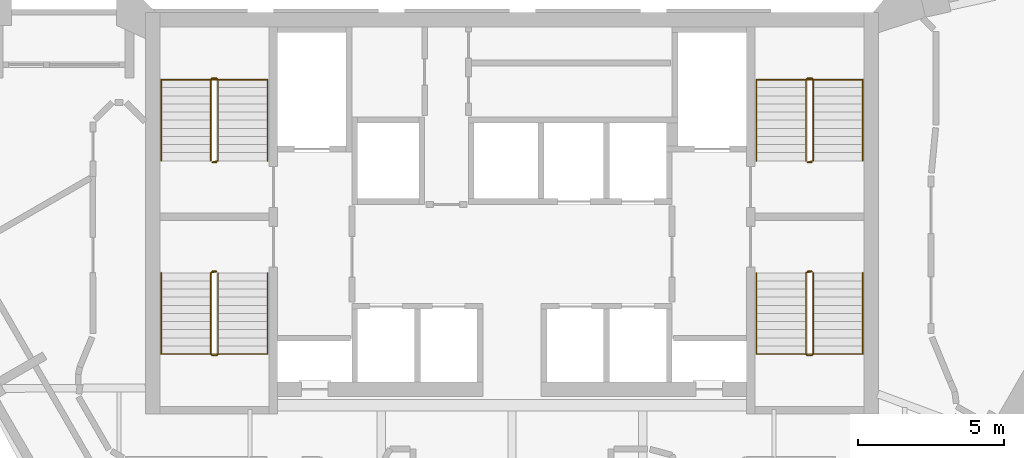
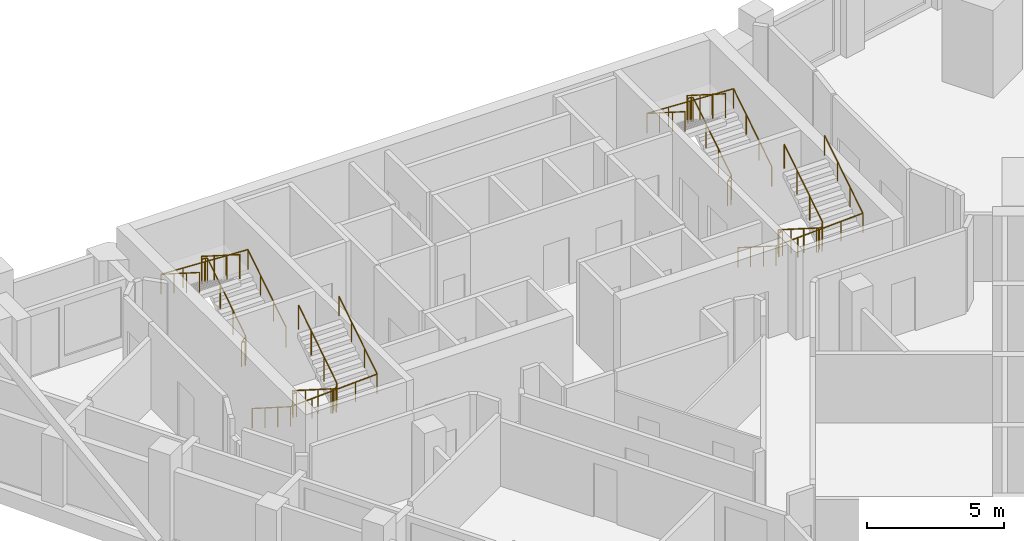
# One storey, part 8 of 8: 8 railings.
"""IFC4 building model written with IfcOpenShell, lengths in metres."""

from ifc_helpers import new_model, si_unit, direction, frame, origin, origin_2d, place, context, subcontext, project, spatial, circle, extrude, material, type_object, element, save


model = new_model("IFC4")

# Units and contexts
model_context = context("Model", 3, precision=1e-05, world=origin(), true_north=direction((0.0, 1.0)))
body_context = subcontext(model_context, "Body", "Model", "MODEL_VIEW")
ifc_project = project(units=[si_unit("LENGTHUNIT", "METRE"), si_unit("AREAUNIT", "SQUARE_METRE"), si_unit("VOLUMEUNIT", "CUBIC_METRE"), si_unit("PLANEANGLEUNIT", "RADIAN"), si_unit("MASSUNIT", "GRAM", prefix="KILO")], contexts=[model_context])

# Site, building, storey
site_placement = place(None, origin())
site = spatial("IfcSite", under=ifc_project, at=site_placement, CompositionType="ELEMENT")
building_placement = place(site_placement, origin())
building = spatial("IfcBuilding", under=site, at=building_placement, Name="Calabash Gate Tower", CompositionType="ELEMENT")
storey_placement = place(building_placement, frame((0.0, 0.0, 279.39990234375)))
storey = spatial("IfcBuildingStorey", under=building, at=storey_placement, Name="L67", CompositionType="ELEMENT", Elevation=279.39990234375)

# Railings
ifc_material_1 = material(Name="Black powder-coated steel balusters", Category="steel")
railing_type_1 = type_object("IfcRailingType", Name="Stair guard RL1100", PredefinedType="GUARDRAIL", material=ifc_material_1)
railing_1_placement = place(storey_placement, frame((-10.14990234375, 13.902587890625, 0.0)))
element("IfcRailing", 1, at=railing_1_placement, inside=storey, type_object=railing_type_1, Name="L67 ST1 stair guard 1", PredefinedType="GUARDRAIL", context=body_context, shape_type="SweptSolid", body=[
    extrude(circle(Radius=0.02392578125, at=origin_2d()), frame((0.0, 0.0, 1.076171875), z_axis=(-1.0, 0.0, 0.0), x_axis=(0.0, -1.0, 0.0)), (0.0, 0.0, 1.0), 0.150146484375),
    extrude(circle(Radius=0.02392578125, at=origin_2d()), frame((-0.150146484375, 0.0, 1.076171875), z_axis=(0.735094037398, 0.183997897029, 0.652519371414), x_axis=(-0.242814311512, 0.970072785993, 0.0)), (0.0, 0.0, 1.0), 0.27197265625),
    extrude(circle(Radius=0.02392578125, at=origin_2d()), frame((0.0498046875, 0.050048828125, 1.25341796875), z_axis=(0.0, 0.844041424197, 0.536277982245), x_axis=(-1.0, 0.0, 0.0)), (0.0, 0.0, 1.0), 3.3056640625),
    extrude(circle(Radius=0.02392578125, at=origin_2d()), frame((0.0498046875, 2.840087890625, 3.0263671875), z_axis=(-0.707106781187, 0.707106781187, 0.0), x_axis=(-0.707106781187, -0.707106781187, 0.0)), (0.0, 0.0, 1.0), 0.0703125),
    extrude(circle(Radius=0.02392578125, at=origin_2d()), frame((0.0, 2.889892578125, 3.0263671875), z_axis=(-1.0, 0.0, 0.0), x_axis=(0.0, -1.0, 0.0)), (0.0, 0.0, 1.0), 0.150146484375),
    extrude(circle(Radius=0.02392578125, at=origin_2d()), frame((-0.150146484375, 2.889892578125, 3.0263671875), z_axis=(-0.262321481514, -0.261041864531, 0.929001929653), x_axis=(0.705375805398, -0.708833529934, 0.0)), (0.0, 0.0, 1.0), 0.190673828125),
    extrude(circle(Radius=0.02392578125, at=origin_2d()), frame((-0.2001953125, 2.840087890625, 3.20361328125), z_axis=(0.0, -0.844041424197, 0.536277982245), x_axis=(1.0, 0.0, 0.0)), (0.0, 0.0, 1.0), 3.3056640625),
    extrude(circle(Radius=0.02099609375, at=origin_2d()), origin(), (0.0, 0.0, 1.0), 1.052001953125),
    extrude(circle(Radius=0.02099609375, at=origin_2d()), frame((-0.150146484375, 0.0, 0.0)), (0.0, 0.0, 1.0), 1.052001953125),
    extrude(circle(Radius=0.02099609375, at=origin_2d()), frame((0.0498046875, 0.050048828125, 0.177490234375)), (0.0, 0.0, 1.0), 1.052001953125),
    extrude(circle(Radius=0.02099609375, at=origin_2d()), frame((0.0498046875, 0.97998046875, 0.768310546875)), (0.0, 0.0, 1.0), 1.052001953125),
    extrude(circle(Radius=0.02099609375, at=origin_2d()), frame((0.0498046875, 1.91015625, 1.359375)), (0.0, 0.0, 1.0), 1.052001953125),
    extrude(circle(Radius=0.02099609375, at=origin_2d()), frame((0.0498046875, 2.840087890625, 1.9501953125)), (0.0, 0.0, 1.0), 1.052001953125),
    extrude(circle(Radius=0.02099609375, at=origin_2d()), frame((0.0, 2.889892578125, 1.9501953125)), (0.0, 0.0, 1.0), 1.052001953125),
    extrude(circle(Radius=0.02099609375, at=origin_2d()), frame((-0.150146484375, 2.889892578125, 1.9501953125)), (0.0, 0.0, 1.0), 1.052001953125),
    extrude(circle(Radius=0.02099609375, at=origin_2d()), frame((-0.2001953125, 2.840087890625, 2.12744140625)), (0.0, 0.0, 1.0), 1.052001953125),
    extrude(circle(Radius=0.02099609375, at=origin_2d()), frame((-0.2001953125, 1.91015625, 2.71826171875)), (0.0, 0.0, 1.0), 1.052001953125),
    extrude(circle(Radius=0.02099609375, at=origin_2d()), frame((-0.2001953125, 0.97998046875, 3.309326171875)), (0.0, 0.0, 1.0), 1.052001953125),
    extrude(circle(Radius=0.02099609375, at=origin_2d()), frame((-0.2001953125, 0.050048828125, 3.900146484375)), (0.0, 0.0, 1.0), 1.052001953125),
])
railing_2_placement = place(storey_placement, frame((-10.300048828125, 10.152587890625, 0.0)))
element("IfcRailing", 2, at=railing_2_placement, inside=storey, type_object=railing_type_1, Name="L67 ST2 stair guard 1", PredefinedType="GUARDRAIL", context=body_context, shape_type="SweptSolid", body=[
    extrude(circle(Radius=0.02392578125, at=origin_2d()), frame((0.0, 0.0, 1.076171875), z_axis=(1.0, 0.0, 0.0), x_axis=(0.0, 1.0, 0.0)), (0.0, 0.0, 1.0), 0.150146484375),
    extrude(circle(Radius=0.02392578125, at=origin_2d()), frame((0.150146484375, 0.0, 1.076171875), z_axis=(-0.735506176693, -0.183876544173, 0.652089012751), x_axis=(0.242535625036, -0.970142500145, 0.0)), (0.0, 0.0, 1.0), 0.272216796875),
    extrude(circle(Radius=0.02392578125, at=origin_2d()), frame((-0.050048828125, -0.050048828125, 1.25341796875), z_axis=(0.0, -0.844041424197, 0.536277982245), x_axis=(1.0, 0.0, 0.0)), (0.0, 0.0, 1.0), 3.3056640625),
    extrude(circle(Radius=0.02392578125, at=origin_2d()), frame((-0.050048828125, -2.840087890625, 3.0263671875), z_axis=(0.708833529934, -0.705375805398, 0.0), x_axis=(0.705375805398, 0.708833529934, 0.0)), (0.0, 0.0, 1.0), 0.070556640625),
    extrude(circle(Radius=0.02392578125, at=origin_2d()), frame((0.0, -2.889892578125, 3.0263671875), z_axis=(1.0, 0.0, 0.0), x_axis=(0.0, 1.0, 0.0)), (0.0, 0.0, 1.0), 0.150146484375),
    extrude(circle(Radius=0.02392578125, at=origin_2d()), frame((0.150146484375, -2.889892578125, 3.0263671875), z_axis=(0.261129318932, 0.261129318932, 0.929313164433), x_axis=(-0.707106781187, 0.707106781187, 0.0)), (0.0, 0.0, 1.0), 0.190673828125),
    extrude(circle(Radius=0.02392578125, at=origin_2d()), frame((0.199951171875, -2.840087890625, 3.20361328125), z_axis=(0.0, 0.844041424197, 0.536277982245), x_axis=(-1.0, 0.0, 0.0)), (0.0, 0.0, 1.0), 3.3056640625),
    extrude(circle(Radius=0.02099609375, at=origin_2d()), origin(), (0.0, 0.0, 1.0), 1.052001953125),
    extrude(circle(Radius=0.02099609375, at=origin_2d()), frame((0.150146484375, 0.0, 0.0)), (0.0, 0.0, 1.0), 1.052001953125),
    extrude(circle(Radius=0.02099609375, at=origin_2d()), frame((-0.050048828125, -0.050048828125, 0.177490234375)), (0.0, 0.0, 1.0), 1.052001953125),
    extrude(circle(Radius=0.02099609375, at=origin_2d()), frame((-0.050048828125, -0.97998046875, 0.768310546875)), (0.0, 0.0, 1.0), 1.052001953125),
    extrude(circle(Radius=0.02099609375, at=origin_2d()), frame((-0.050048828125, -1.91015625, 1.359375)), (0.0, 0.0, 1.0), 1.052001953125),
    extrude(circle(Radius=0.02099609375, at=origin_2d()), frame((-0.050048828125, -2.840087890625, 1.9501953125)), (0.0, 0.0, 1.0), 1.052001953125),
    extrude(circle(Radius=0.02099609375, at=origin_2d()), frame((0.0, -2.889892578125, 1.9501953125)), (0.0, 0.0, 1.0), 1.052001953125),
    extrude(circle(Radius=0.02099609375, at=origin_2d()), frame((0.150146484375, -2.889892578125, 1.9501953125)), (0.0, 0.0, 1.0), 1.052001953125),
    extrude(circle(Radius=0.02099609375, at=origin_2d()), frame((0.199951171875, -2.840087890625, 2.12744140625)), (0.0, 0.0, 1.0), 1.052001953125),
    extrude(circle(Radius=0.02099609375, at=origin_2d()), frame((0.199951171875, -1.91015625, 2.71826171875)), (0.0, 0.0, 1.0), 1.052001953125),
    extrude(circle(Radius=0.02099609375, at=origin_2d()), frame((0.199951171875, -0.97998046875, 3.309326171875)), (0.0, 0.0, 1.0), 1.052001953125),
    extrude(circle(Radius=0.02099609375, at=origin_2d()), frame((0.199951171875, -0.050048828125, 3.900146484375)), (0.0, 0.0, 1.0), 1.052001953125),
])
railing_3_placement = place(storey_placement, frame((10.300048828125, 13.902587890625, 0.0)))
element("IfcRailing", 3, at=railing_3_placement, inside=storey, type_object=railing_type_1, Name="L67 ST3 stair guard 1", PredefinedType="GUARDRAIL", context=body_context, shape_type="SweptSolid", body=[
    extrude(circle(Radius=0.02392578125, at=origin_2d()), frame((0.0, 0.0, 1.076171875), z_axis=(-1.0, 0.0, 0.0), x_axis=(0.0, -1.0, 0.0)), (0.0, 0.0, 1.0), 0.150146484375),
    extrude(circle(Radius=0.02392578125, at=origin_2d()), frame((-0.150146484375, 0.0, 1.076171875), z_axis=(0.735506176693, 0.183876544173, 0.652089012751), x_axis=(-0.242535625036, 0.970142500145, 0.0)), (0.0, 0.0, 1.0), 0.272216796875),
    extrude(circle(Radius=0.02392578125, at=origin_2d()), frame((0.050048828125, 0.050048828125, 1.25341796875), z_axis=(0.0, 0.844041424197, 0.536277982245), x_axis=(-1.0, 0.0, 0.0)), (0.0, 0.0, 1.0), 3.3056640625),
    extrude(circle(Radius=0.02392578125, at=origin_2d()), frame((0.050048828125, 2.840087890625, 3.0263671875), z_axis=(-0.708833529934, 0.705375805398, 0.0), x_axis=(-0.705375805398, -0.708833529934, 0.0)), (0.0, 0.0, 1.0), 0.070556640625),
    extrude(circle(Radius=0.02392578125, at=origin_2d()), frame((0.0, 2.889892578125, 3.0263671875), z_axis=(-1.0, 0.0, 0.0), x_axis=(0.0, -1.0, 0.0)), (0.0, 0.0, 1.0), 0.150146484375),
    extrude(circle(Radius=0.02392578125, at=origin_2d()), frame((-0.150146484375, 2.889892578125, 3.0263671875), z_axis=(-0.261129318932, -0.261129318932, 0.929313164433), x_axis=(0.707106781187, -0.707106781187, 0.0)), (0.0, 0.0, 1.0), 0.190673828125),
    extrude(circle(Radius=0.02392578125, at=origin_2d()), frame((-0.199951171875, 2.840087890625, 3.20361328125), z_axis=(0.0, -0.844041424197, 0.536277982245), x_axis=(1.0, 0.0, 0.0)), (0.0, 0.0, 1.0), 3.3056640625),
    extrude(circle(Radius=0.02099609375, at=origin_2d()), origin(), (0.0, 0.0, 1.0), 1.052001953125),
    extrude(circle(Radius=0.02099609375, at=origin_2d()), frame((-0.150146484375, 0.0, 0.0)), (0.0, 0.0, 1.0), 1.052001953125),
    extrude(circle(Radius=0.02099609375, at=origin_2d()), frame((0.050048828125, 0.050048828125, 0.177490234375)), (0.0, 0.0, 1.0), 1.052001953125),
    extrude(circle(Radius=0.02099609375, at=origin_2d()), frame((0.050048828125, 0.97998046875, 0.768310546875)), (0.0, 0.0, 1.0), 1.052001953125),
    extrude(circle(Radius=0.02099609375, at=origin_2d()), frame((0.050048828125, 1.91015625, 1.359375)), (0.0, 0.0, 1.0), 1.052001953125),
    extrude(circle(Radius=0.02099609375, at=origin_2d()), frame((0.050048828125, 2.840087890625, 1.9501953125)), (0.0, 0.0, 1.0), 1.052001953125),
    extrude(circle(Radius=0.02099609375, at=origin_2d()), frame((0.0, 2.889892578125, 1.9501953125)), (0.0, 0.0, 1.0), 1.052001953125),
    extrude(circle(Radius=0.02099609375, at=origin_2d()), frame((-0.150146484375, 2.889892578125, 1.9501953125)), (0.0, 0.0, 1.0), 1.052001953125),
    extrude(circle(Radius=0.02099609375, at=origin_2d()), frame((-0.199951171875, 2.840087890625, 2.12744140625)), (0.0, 0.0, 1.0), 1.052001953125),
    extrude(circle(Radius=0.02099609375, at=origin_2d()), frame((-0.199951171875, 1.91015625, 2.71826171875)), (0.0, 0.0, 1.0), 1.052001953125),
    extrude(circle(Radius=0.02099609375, at=origin_2d()), frame((-0.199951171875, 0.97998046875, 3.309326171875)), (0.0, 0.0, 1.0), 1.052001953125),
    extrude(circle(Radius=0.02099609375, at=origin_2d()), frame((-0.199951171875, 0.050048828125, 3.900146484375)), (0.0, 0.0, 1.0), 1.052001953125),
])
railing_4_placement = place(storey_placement, frame((10.14990234375, 10.152587890625, 0.0)))
element("IfcRailing", 4, at=railing_4_placement, inside=storey, type_object=railing_type_1, Name="L67 ST4 stair guard 1", PredefinedType="GUARDRAIL", context=body_context, shape_type="SweptSolid", body=[
    extrude(circle(Radius=0.02392578125, at=origin_2d()), frame((0.0, 0.0, 1.076171875), z_axis=(1.0, 0.0, 0.0), x_axis=(0.0, 1.0, 0.0)), (0.0, 0.0, 1.0), 0.150146484375),
    extrude(circle(Radius=0.02392578125, at=origin_2d()), frame((0.150146484375, 0.0, 1.076171875), z_axis=(-0.735094037398, -0.183997897029, 0.652519371414), x_axis=(0.242814311512, -0.970072785993, 0.0)), (0.0, 0.0, 1.0), 0.27197265625),
    extrude(circle(Radius=0.02392578125, at=origin_2d()), frame((-0.0498046875, -0.050048828125, 1.25341796875), z_axis=(0.0, -0.844041424197, 0.536277982245), x_axis=(1.0, 0.0, 0.0)), (0.0, 0.0, 1.0), 3.3056640625),
    extrude(circle(Radius=0.02392578125, at=origin_2d()), frame((-0.0498046875, -2.840087890625, 3.0263671875), z_axis=(0.707106781187, -0.707106781187, 0.0), x_axis=(0.707106781187, 0.707106781187, 0.0)), (0.0, 0.0, 1.0), 0.0703125),
    extrude(circle(Radius=0.02392578125, at=origin_2d()), frame((0.0, -2.889892578125, 3.0263671875), z_axis=(1.0, 0.0, 0.0), x_axis=(0.0, 1.0, 0.0)), (0.0, 0.0, 1.0), 0.150146484375),
    extrude(circle(Radius=0.02392578125, at=origin_2d()), frame((0.150146484375, -2.889892578125, 3.0263671875), z_axis=(0.262321481514, 0.261041864531, 0.929001929653), x_axis=(-0.705375805398, 0.708833529934, 0.0)), (0.0, 0.0, 1.0), 0.190673828125),
    extrude(circle(Radius=0.02392578125, at=origin_2d()), frame((0.2001953125, -2.840087890625, 3.20361328125), z_axis=(0.0, 0.844041424197, 0.536277982245), x_axis=(-1.0, 0.0, 0.0)), (0.0, 0.0, 1.0), 3.3056640625),
    extrude(circle(Radius=0.02099609375, at=origin_2d()), origin(), (0.0, 0.0, 1.0), 1.052001953125),
    extrude(circle(Radius=0.02099609375, at=origin_2d()), frame((0.150146484375, 0.0, 0.0)), (0.0, 0.0, 1.0), 1.052001953125),
    extrude(circle(Radius=0.02099609375, at=origin_2d()), frame((-0.0498046875, -0.050048828125, 0.177490234375)), (0.0, 0.0, 1.0), 1.052001953125),
    extrude(circle(Radius=0.02099609375, at=origin_2d()), frame((-0.0498046875, -0.97998046875, 0.768310546875)), (0.0, 0.0, 1.0), 1.052001953125),
    extrude(circle(Radius=0.02099609375, at=origin_2d()), frame((-0.0498046875, -1.91015625, 1.359375)), (0.0, 0.0, 1.0), 1.052001953125),
    extrude(circle(Radius=0.02099609375, at=origin_2d()), frame((-0.0498046875, -2.840087890625, 1.9501953125)), (0.0, 0.0, 1.0), 1.052001953125),
    extrude(circle(Radius=0.02099609375, at=origin_2d()), frame((0.0, -2.889892578125, 1.9501953125)), (0.0, 0.0, 1.0), 1.052001953125),
    extrude(circle(Radius=0.02099609375, at=origin_2d()), frame((0.150146484375, -2.889892578125, 1.9501953125)), (0.0, 0.0, 1.0), 1.052001953125),
    extrude(circle(Radius=0.02099609375, at=origin_2d()), frame((0.2001953125, -2.840087890625, 2.12744140625)), (0.0, 0.0, 1.0), 1.052001953125),
    extrude(circle(Radius=0.02099609375, at=origin_2d()), frame((0.2001953125, -1.91015625, 2.71826171875)), (0.0, 0.0, 1.0), 1.052001953125),
    extrude(circle(Radius=0.02099609375, at=origin_2d()), frame((0.2001953125, -0.97998046875, 3.309326171875)), (0.0, 0.0, 1.0), 1.052001953125),
    extrude(circle(Radius=0.02099609375, at=origin_2d()), frame((0.2001953125, -0.050048828125, 3.900146484375)), (0.0, 0.0, 1.0), 1.052001953125),
])
ifc_material_2 = material(Name="Black powder-coated steel tube 48 mm", Category="steel")
railing_type_2 = type_object("IfcRailingType", Name="Stair handrail RL900", PredefinedType="HANDRAIL", material=ifc_material_2)
railing_5_placement = place(storey_placement, frame((-8.39990234375, 13.95263671875, 0.177490234375)))
element("IfcRailing", 5, at=railing_5_placement, inside=storey, type_object=railing_type_2, Name="L67 ST1 stair handrail 1", PredefinedType="HANDRAIL", context=body_context, shape_type="SweptSolid", body=[
    extrude(circle(Radius=0.02392578125, at=origin_2d()), frame((0.0, 0.0, 0.8759765625), z_axis=(0.0, 0.844041424197, 0.536277982245), x_axis=(-1.0, 0.0, 0.0)), (0.0, 0.0, 1.0), 3.3056640625),
    extrude(circle(Radius=0.02392578125, at=origin_2d()), frame((0.0, 2.7900390625, 2.6484375), z_axis=(-0.998823110844, 0.0, 0.048501476722), x_axis=(0.0, -1.0, 0.0)), (0.0, 0.0, 1.0), 3.654541015625),
    extrude(circle(Radius=0.02392578125, at=origin_2d()), frame((-3.650146484375, 2.7900390625, 2.82568359375), z_axis=(0.0, -0.844041424197, 0.536277982245), x_axis=(1.0, 0.0, 0.0)), (0.0, 0.0, 1.0), 3.3056640625),
    extrude(circle(Radius=0.02099609375, at=origin_2d()), origin(), (0.0, 0.0, 1.0), 0.851806640625),
    extrude(circle(Radius=0.02099609375, at=origin_2d()), frame((0.0, 0.929931640625, 0.5908203125)), (0.0, 0.0, 1.0), 0.851806640625),
    extrude(circle(Radius=0.02099609375, at=origin_2d()), frame((0.0, 1.860107421875, 1.181884765625)), (0.0, 0.0, 1.0), 0.851806640625),
    extrude(circle(Radius=0.02099609375, at=origin_2d()), frame((0.0, 2.7900390625, 1.772705078125)), (0.0, 0.0, 1.0), 0.851806640625),
    extrude(circle(Radius=0.02099609375, at=origin_2d()), frame((-0.91259765625, 2.7900390625, 1.81689453125)), (0.0, 0.0, 1.0), 0.851806640625),
    extrude(circle(Radius=0.02099609375, at=origin_2d()), frame((-1.8251953125, 2.7900390625, 1.861328125)), (0.0, 0.0, 1.0), 0.851806640625),
    extrude(circle(Radius=0.02099609375, at=origin_2d()), frame((-2.737548828125, 2.7900390625, 1.90576171875)), (0.0, 0.0, 1.0), 0.851806640625),
    extrude(circle(Radius=0.02099609375, at=origin_2d()), frame((-3.650146484375, 2.7900390625, 1.949951171875)), (0.0, 0.0, 1.0), 0.851806640625),
    extrude(circle(Radius=0.02099609375, at=origin_2d()), frame((-3.650146484375, 1.860107421875, 2.540771484375)), (0.0, 0.0, 1.0), 0.851806640625),
    extrude(circle(Radius=0.02099609375, at=origin_2d()), frame((-3.650146484375, 0.929931640625, 3.1318359375)), (0.0, 0.0, 1.0), 0.851806640625),
    extrude(circle(Radius=0.02099609375, at=origin_2d()), frame((-3.650146484375, 0.0, 3.72265625)), (0.0, 0.0, 1.0), 0.851806640625),
])
railing_6_placement = place(storey_placement, frame((-12.050048828125, 10.1025390625, 0.177490234375)))
element("IfcRailing", 6, at=railing_6_placement, inside=storey, type_object=railing_type_2, Name="L67 ST2 stair handrail 1", PredefinedType="HANDRAIL", context=body_context, shape_type="SweptSolid", body=[
    extrude(circle(Radius=0.02392578125, at=origin_2d()), frame((0.0, 0.0, 0.8759765625), z_axis=(0.0, -0.844041424197, 0.536277982245), x_axis=(1.0, 0.0, 0.0)), (0.0, 0.0, 1.0), 3.3056640625),
    extrude(circle(Radius=0.02392578125, at=origin_2d()), frame((0.0, -2.7900390625, 2.6484375), z_axis=(0.998823110844, 0.0, 0.048501476722), x_axis=(0.0, 1.0, 0.0)), (0.0, 0.0, 1.0), 3.654541015625),
    extrude(circle(Radius=0.02392578125, at=origin_2d()), frame((3.650146484375, -2.7900390625, 2.82568359375), z_axis=(0.0, 0.844041424197, 0.536277982245), x_axis=(-1.0, 0.0, 0.0)), (0.0, 0.0, 1.0), 3.3056640625),
    extrude(circle(Radius=0.02099609375, at=origin_2d()), origin(), (0.0, 0.0, 1.0), 0.851806640625),
    extrude(circle(Radius=0.02099609375, at=origin_2d()), frame((0.0, -0.929931640625, 0.5908203125)), (0.0, 0.0, 1.0), 0.851806640625),
    extrude(circle(Radius=0.02099609375, at=origin_2d()), frame((0.0, -1.860107421875, 1.181884765625)), (0.0, 0.0, 1.0), 0.851806640625),
    extrude(circle(Radius=0.02099609375, at=origin_2d()), frame((0.0, -2.7900390625, 1.772705078125)), (0.0, 0.0, 1.0), 0.851806640625),
    extrude(circle(Radius=0.02099609375, at=origin_2d()), frame((0.91259765625, -2.7900390625, 1.81689453125)), (0.0, 0.0, 1.0), 0.851806640625),
    extrude(circle(Radius=0.02099609375, at=origin_2d()), frame((1.8251953125, -2.7900390625, 1.861328125)), (0.0, 0.0, 1.0), 0.851806640625),
    extrude(circle(Radius=0.02099609375, at=origin_2d()), frame((2.737548828125, -2.7900390625, 1.90576171875)), (0.0, 0.0, 1.0), 0.851806640625),
    extrude(circle(Radius=0.02099609375, at=origin_2d()), frame((3.650146484375, -2.7900390625, 1.949951171875)), (0.0, 0.0, 1.0), 0.851806640625),
    extrude(circle(Radius=0.02099609375, at=origin_2d()), frame((3.650146484375, -1.860107421875, 2.540771484375)), (0.0, 0.0, 1.0), 0.851806640625),
    extrude(circle(Radius=0.02099609375, at=origin_2d()), frame((3.650146484375, -0.929931640625, 3.1318359375)), (0.0, 0.0, 1.0), 0.851806640625),
    extrude(circle(Radius=0.02099609375, at=origin_2d()), frame((3.650146484375, 0.0, 3.72265625)), (0.0, 0.0, 1.0), 0.851806640625),
])
railing_7_placement = place(storey_placement, frame((12.050048828125, 13.95263671875, 0.177490234375)))
element("IfcRailing", 7, at=railing_7_placement, inside=storey, type_object=railing_type_2, Name="L67 ST3 stair handrail 1", PredefinedType="HANDRAIL", context=body_context, shape_type="SweptSolid", body=[
    extrude(circle(Radius=0.02392578125, at=origin_2d()), frame((0.0, 0.0, 0.8759765625), z_axis=(0.0, 0.844041424197, 0.536277982245), x_axis=(-1.0, 0.0, 0.0)), (0.0, 0.0, 1.0), 3.3056640625),
    extrude(circle(Radius=0.02392578125, at=origin_2d()), frame((0.0, 2.7900390625, 2.6484375), z_axis=(-0.998823110844, 0.0, 0.048501476722), x_axis=(0.0, -1.0, 0.0)), (0.0, 0.0, 1.0), 3.654541015625),
    extrude(circle(Radius=0.02392578125, at=origin_2d()), frame((-3.650146484375, 2.7900390625, 2.82568359375), z_axis=(0.0, -0.844041424197, 0.536277982245), x_axis=(1.0, 0.0, 0.0)), (0.0, 0.0, 1.0), 3.3056640625),
    extrude(circle(Radius=0.02099609375, at=origin_2d()), origin(), (0.0, 0.0, 1.0), 0.851806640625),
    extrude(circle(Radius=0.02099609375, at=origin_2d()), frame((0.0, 0.929931640625, 0.5908203125)), (0.0, 0.0, 1.0), 0.851806640625),
    extrude(circle(Radius=0.02099609375, at=origin_2d()), frame((0.0, 1.860107421875, 1.181884765625)), (0.0, 0.0, 1.0), 0.851806640625),
    extrude(circle(Radius=0.02099609375, at=origin_2d()), frame((0.0, 2.7900390625, 1.772705078125)), (0.0, 0.0, 1.0), 0.851806640625),
    extrude(circle(Radius=0.02099609375, at=origin_2d()), frame((-0.91259765625, 2.7900390625, 1.81689453125)), (0.0, 0.0, 1.0), 0.851806640625),
    extrude(circle(Radius=0.02099609375, at=origin_2d()), frame((-1.8251953125, 2.7900390625, 1.861328125)), (0.0, 0.0, 1.0), 0.851806640625),
    extrude(circle(Radius=0.02099609375, at=origin_2d()), frame((-2.737548828125, 2.7900390625, 1.90576171875)), (0.0, 0.0, 1.0), 0.851806640625),
    extrude(circle(Radius=0.02099609375, at=origin_2d()), frame((-3.650146484375, 2.7900390625, 1.949951171875)), (0.0, 0.0, 1.0), 0.851806640625),
    extrude(circle(Radius=0.02099609375, at=origin_2d()), frame((-3.650146484375, 1.860107421875, 2.540771484375)), (0.0, 0.0, 1.0), 0.851806640625),
    extrude(circle(Radius=0.02099609375, at=origin_2d()), frame((-3.650146484375, 0.929931640625, 3.1318359375)), (0.0, 0.0, 1.0), 0.851806640625),
    extrude(circle(Radius=0.02099609375, at=origin_2d()), frame((-3.650146484375, 0.0, 3.72265625)), (0.0, 0.0, 1.0), 0.851806640625),
])
railing_8_placement = place(storey_placement, frame((8.39990234375, 10.1025390625, 0.177490234375)))
element("IfcRailing", 8, at=railing_8_placement, inside=storey, type_object=railing_type_2, Name="L67 ST4 stair handrail 1", PredefinedType="HANDRAIL", context=body_context, shape_type="SweptSolid", body=[
    extrude(circle(Radius=0.02392578125, at=origin_2d()), frame((0.0, 0.0, 0.8759765625), z_axis=(0.0, -0.844041424197, 0.536277982245), x_axis=(1.0, 0.0, 0.0)), (0.0, 0.0, 1.0), 3.3056640625),
    extrude(circle(Radius=0.02392578125, at=origin_2d()), frame((0.0, -2.7900390625, 2.6484375), z_axis=(0.998823110844, 0.0, 0.048501476722), x_axis=(0.0, 1.0, 0.0)), (0.0, 0.0, 1.0), 3.654541015625),
    extrude(circle(Radius=0.02392578125, at=origin_2d()), frame((3.650146484375, -2.7900390625, 2.82568359375), z_axis=(0.0, 0.844041424197, 0.536277982245), x_axis=(-1.0, 0.0, 0.0)), (0.0, 0.0, 1.0), 3.3056640625),
    extrude(circle(Radius=0.02099609375, at=origin_2d()), origin(), (0.0, 0.0, 1.0), 0.851806640625),
    extrude(circle(Radius=0.02099609375, at=origin_2d()), frame((0.0, -0.929931640625, 0.5908203125)), (0.0, 0.0, 1.0), 0.851806640625),
    extrude(circle(Radius=0.02099609375, at=origin_2d()), frame((0.0, -1.860107421875, 1.181884765625)), (0.0, 0.0, 1.0), 0.851806640625),
    extrude(circle(Radius=0.02099609375, at=origin_2d()), frame((0.0, -2.7900390625, 1.772705078125)), (0.0, 0.0, 1.0), 0.851806640625),
    extrude(circle(Radius=0.02099609375, at=origin_2d()), frame((0.91259765625, -2.7900390625, 1.81689453125)), (0.0, 0.0, 1.0), 0.851806640625),
    extrude(circle(Radius=0.02099609375, at=origin_2d()), frame((1.8251953125, -2.7900390625, 1.861328125)), (0.0, 0.0, 1.0), 0.851806640625),
    extrude(circle(Radius=0.02099609375, at=origin_2d()), frame((2.737548828125, -2.7900390625, 1.90576171875)), (0.0, 0.0, 1.0), 0.851806640625),
    extrude(circle(Radius=0.02099609375, at=origin_2d()), frame((3.650146484375, -2.7900390625, 1.949951171875)), (0.0, 0.0, 1.0), 0.851806640625),
    extrude(circle(Radius=0.02099609375, at=origin_2d()), frame((3.650146484375, -1.860107421875, 2.540771484375)), (0.0, 0.0, 1.0), 0.851806640625),
    extrude(circle(Radius=0.02099609375, at=origin_2d()), frame((3.650146484375, -0.929931640625, 3.1318359375)), (0.0, 0.0, 1.0), 0.851806640625),
    extrude(circle(Radius=0.02099609375, at=origin_2d()), frame((3.650146484375, 0.0, 3.72265625)), (0.0, 0.0, 1.0), 0.851806640625),
])

save(model, "model.ifc")
